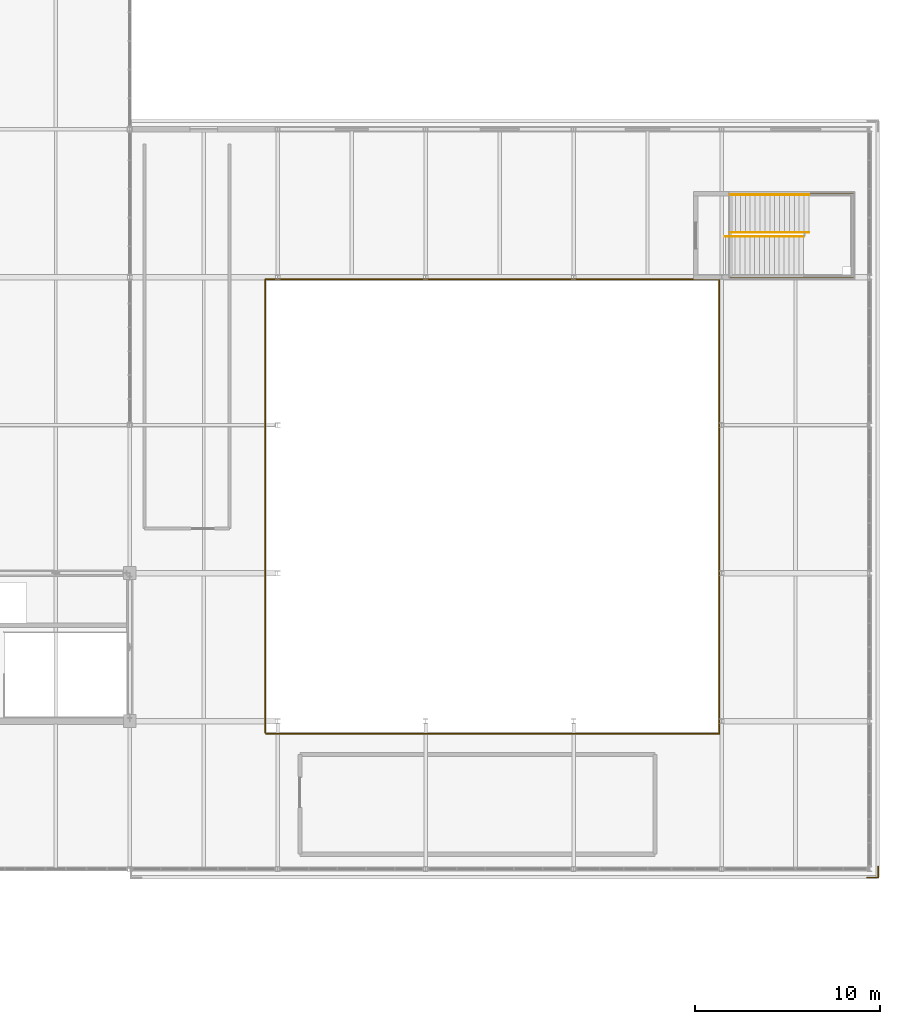
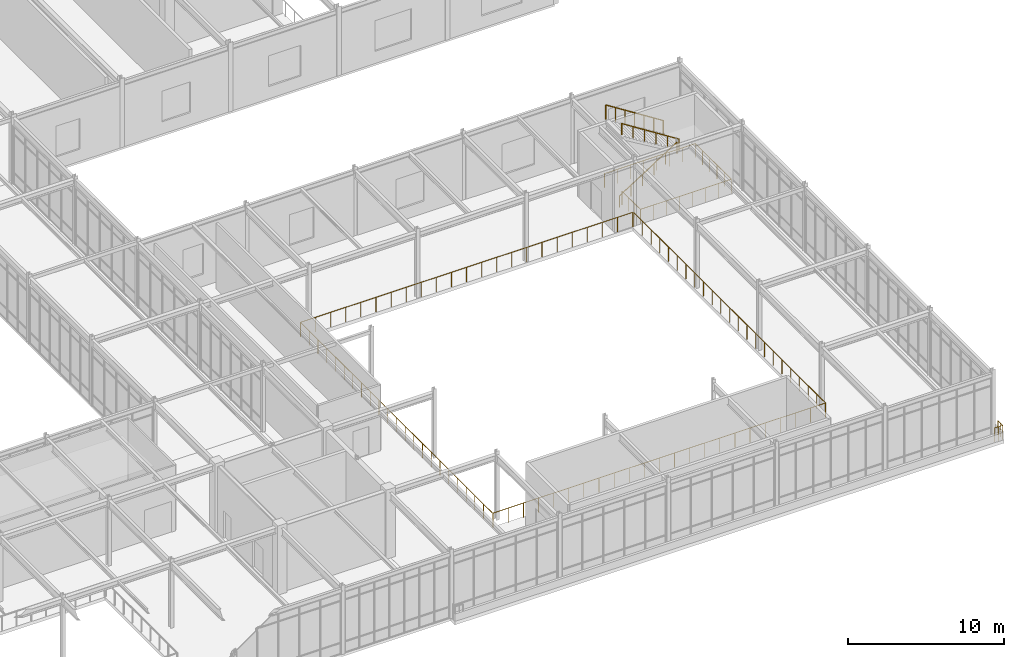
# One storey, part 182 of 184: 7 railings.
"""IFC4 building model written with IfcOpenShell, lengths in metres."""

from ifc_helpers import new_model, si_unit, direction, frame, origin, origin_2d, place, context, subcontext, project, spatial, circle, extrude, material, type_object, element, save


model = new_model("IFC4")

# Units and contexts
model_context = context("Model", 3, precision=1e-05, world=origin(), true_north=direction((0.0, 1.0)))
body_context = subcontext(model_context, "Body", "Model", "MODEL_VIEW")
ifc_project = project(units=[si_unit("LENGTHUNIT", "METRE"), si_unit("AREAUNIT", "SQUARE_METRE"), si_unit("VOLUMEUNIT", "CUBIC_METRE"), si_unit("PLANEANGLEUNIT", "RADIAN"), si_unit("MASSUNIT", "GRAM", prefix="KILO")], contexts=[model_context])

# Site, building, storey
site_placement = place(None, origin())
site = spatial("IfcSite", under=ifc_project, at=site_placement, CompositionType="ELEMENT")
building_placement = place(site_placement, origin())
building = spatial("IfcBuilding", under=site, at=building_placement, Name="Zhaolan Boulevard Law Courts", CompositionType="ELEMENT")
storey_placement = place(building_placement, frame((0.0, 0.0, 5.39990234375)))
storey = spatial("IfcBuildingStorey", under=building, at=storey_placement, Name="L01", CompositionType="ELEMENT", Elevation=5.39990234375)

# Railings
ifc_material_1 = material(Name="Powder-coated steel and tempered laminated glass", Category="steel")
railing_type_1 = type_object("IfcRailingType", Name="INTERIOR GUARDRAIL 1150", PredefinedType="GUARDRAIL", material=ifc_material_1)
railing_1_placement = place(storey_placement, frame((131.360107421875, 13.320068359375, 0.0)))
element("IfcRailing", 1, at=railing_1_placement, inside=storey, type_object=railing_type_1, Name="Atrium Gallery Guardrail VG-1-V1-2A", PredefinedType="GUARDRAIL", context=body_context, shape_type="SweptSolid", body=[
    extrude(circle(Radius=0.02490234375, at=origin_2d()), frame((0.0, 0.0, 1.125), z_axis=(1.0, 0.0, 0.0), x_axis=(0.0, 1.0, 0.0)), (0.0, 0.0, 1.0), 24.519775390625),
    extrude(circle(Radius=0.02490234375, at=origin_2d()), frame((24.519775390625, 0.0, 1.125), z_axis=(0.0, 1.0, 0.0), x_axis=(-1.0, 0.0, 0.0)), (0.0, 0.0, 1.0), 24.52001953125),
    extrude(circle(Radius=0.02099609375, at=origin_2d()), origin(), (0.0, 0.0, 1.0), 1.099853515625),
    extrude(circle(Radius=0.02099609375, at=origin_2d()), frame((1.114501953125, 0.0, 0.0)), (0.0, 0.0, 1.0), 1.099853515625),
    extrude(circle(Radius=0.02099609375, at=origin_2d()), frame((2.22900390625, 0.0, 0.0)), (0.0, 0.0, 1.0), 1.099853515625),
    extrude(circle(Radius=0.02099609375, at=origin_2d()), frame((3.343505859375, 0.0, 0.0)), (0.0, 0.0, 1.0), 1.099853515625),
    extrude(circle(Radius=0.02099609375, at=origin_2d()), frame((4.458251953125, 0.0, 0.0)), (0.0, 0.0, 1.0), 1.099853515625),
    extrude(circle(Radius=0.02099609375, at=origin_2d()), frame((5.57275390625, 0.0, 0.0)), (0.0, 0.0, 1.0), 1.099853515625),
    extrude(circle(Radius=0.02099609375, at=origin_2d()), frame((6.687255859375, 0.0, 0.0)), (0.0, 0.0, 1.0), 1.099853515625),
    extrude(circle(Radius=0.02099609375, at=origin_2d()), frame((7.8017578125, 0.0, 0.0)), (0.0, 0.0, 1.0), 1.099853515625),
    extrude(circle(Radius=0.02099609375, at=origin_2d()), frame((8.916259765625, 0.0, 0.0)), (0.0, 0.0, 1.0), 1.099853515625),
    extrude(circle(Radius=0.02099609375, at=origin_2d()), frame((10.03076171875, 0.0, 0.0)), (0.0, 0.0, 1.0), 1.099853515625),
    extrude(circle(Radius=0.02099609375, at=origin_2d()), frame((11.145263671875, 0.0, 0.0)), (0.0, 0.0, 1.0), 1.099853515625),
    extrude(circle(Radius=0.02099609375, at=origin_2d()), frame((12.259765625, 0.0, 0.0)), (0.0, 0.0, 1.0), 1.099853515625),
    extrude(circle(Radius=0.02099609375, at=origin_2d()), frame((13.37451171875, 0.0, 0.0)), (0.0, 0.0, 1.0), 1.099853515625),
    extrude(circle(Radius=0.02099609375, at=origin_2d()), frame((14.489013671875, 0.0, 0.0)), (0.0, 0.0, 1.0), 1.099853515625),
    extrude(circle(Radius=0.02099609375, at=origin_2d()), frame((15.603515625, 0.0, 0.0)), (0.0, 0.0, 1.0), 1.099853515625),
    extrude(circle(Radius=0.02099609375, at=origin_2d()), frame((16.718017578125, 0.0, 0.0)), (0.0, 0.0, 1.0), 1.099853515625),
    extrude(circle(Radius=0.02099609375, at=origin_2d()), frame((17.83251953125, 0.0, 0.0)), (0.0, 0.0, 1.0), 1.099853515625),
    extrude(circle(Radius=0.02099609375, at=origin_2d()), frame((18.947021484375, 0.0, 0.0)), (0.0, 0.0, 1.0), 1.099853515625),
    extrude(circle(Radius=0.02099609375, at=origin_2d()), frame((20.0615234375, 0.0, 0.0)), (0.0, 0.0, 1.0), 1.099853515625),
    extrude(circle(Radius=0.02099609375, at=origin_2d()), frame((21.17626953125, 0.0, 0.0)), (0.0, 0.0, 1.0), 1.099853515625),
    extrude(circle(Radius=0.02099609375, at=origin_2d()), frame((22.290771484375, 0.0, 0.0)), (0.0, 0.0, 1.0), 1.099853515625),
    extrude(circle(Radius=0.02099609375, at=origin_2d()), frame((23.4052734375, 0.0, 0.0)), (0.0, 0.0, 1.0), 1.099853515625),
    extrude(circle(Radius=0.02099609375, at=origin_2d()), frame((24.519775390625, 0.0, 0.0)), (0.0, 0.0, 1.0), 1.099853515625),
    extrude(circle(Radius=0.02099609375, at=origin_2d()), frame((24.519775390625, 1.114501953125, 0.0)), (0.0, 0.0, 1.0), 1.099853515625),
    extrude(circle(Radius=0.02099609375, at=origin_2d()), frame((24.519775390625, 2.22900390625, 0.0)), (0.0, 0.0, 1.0), 1.099853515625),
    extrude(circle(Radius=0.02099609375, at=origin_2d()), frame((24.519775390625, 3.34375, 0.0)), (0.0, 0.0, 1.0), 1.099853515625),
    extrude(circle(Radius=0.02099609375, at=origin_2d()), frame((24.519775390625, 4.458251953125, 0.0)), (0.0, 0.0, 1.0), 1.099853515625),
    extrude(circle(Radius=0.02099609375, at=origin_2d()), frame((24.519775390625, 5.57275390625, 0.0)), (0.0, 0.0, 1.0), 1.099853515625),
    extrude(circle(Radius=0.02099609375, at=origin_2d()), frame((24.519775390625, 6.687255859375, 0.0)), (0.0, 0.0, 1.0), 1.099853515625),
    extrude(circle(Radius=0.02099609375, at=origin_2d()), frame((24.519775390625, 7.8017578125, 0.0)), (0.0, 0.0, 1.0), 1.099853515625),
    extrude(circle(Radius=0.02099609375, at=origin_2d()), frame((24.519775390625, 8.916259765625, 0.0)), (0.0, 0.0, 1.0), 1.099853515625),
    extrude(circle(Radius=0.02099609375, at=origin_2d()), frame((24.519775390625, 10.031005859375, 0.0)), (0.0, 0.0, 1.0), 1.099853515625),
    extrude(circle(Radius=0.02099609375, at=origin_2d()), frame((24.519775390625, 11.1455078125, 0.0)), (0.0, 0.0, 1.0), 1.099853515625),
    extrude(circle(Radius=0.02099609375, at=origin_2d()), frame((24.519775390625, 12.260009765625, 0.0)), (0.0, 0.0, 1.0), 1.099853515625),
    extrude(circle(Radius=0.02099609375, at=origin_2d()), frame((24.519775390625, 13.37451171875, 0.0)), (0.0, 0.0, 1.0), 1.099853515625),
    extrude(circle(Radius=0.02099609375, at=origin_2d()), frame((24.519775390625, 14.489013671875, 0.0)), (0.0, 0.0, 1.0), 1.099853515625),
    extrude(circle(Radius=0.02099609375, at=origin_2d()), frame((24.519775390625, 15.603759765625, 0.0)), (0.0, 0.0, 1.0), 1.099853515625),
    extrude(circle(Radius=0.02099609375, at=origin_2d()), frame((24.519775390625, 16.71826171875, 0.0)), (0.0, 0.0, 1.0), 1.099853515625),
    extrude(circle(Radius=0.02099609375, at=origin_2d()), frame((24.519775390625, 17.832763671875, 0.0)), (0.0, 0.0, 1.0), 1.099853515625),
    extrude(circle(Radius=0.02099609375, at=origin_2d()), frame((24.519775390625, 18.947265625, 0.0)), (0.0, 0.0, 1.0), 1.099853515625),
    extrude(circle(Radius=0.02099609375, at=origin_2d()), frame((24.519775390625, 20.061767578125, 0.0)), (0.0, 0.0, 1.0), 1.099853515625),
    extrude(circle(Radius=0.02099609375, at=origin_2d()), frame((24.519775390625, 21.17626953125, 0.0)), (0.0, 0.0, 1.0), 1.099853515625),
    extrude(circle(Radius=0.02099609375, at=origin_2d()), frame((24.519775390625, 22.291015625, 0.0)), (0.0, 0.0, 1.0), 1.099853515625),
    extrude(circle(Radius=0.02099609375, at=origin_2d()), frame((24.519775390625, 23.405517578125, 0.0)), (0.0, 0.0, 1.0), 1.099853515625),
    extrude(circle(Radius=0.02099609375, at=origin_2d()), frame((24.519775390625, 24.52001953125, 0.0)), (0.0, 0.0, 1.0), 1.099853515625),
])
railing_2_placement = place(storey_placement, frame((155.820068359375, 37.8798828125, 0.0)))
element("IfcRailing", 2, at=railing_2_placement, inside=storey, type_object=railing_type_1, Name="Atrium Gallery Guardrail VG-1-V1-2B", PredefinedType="GUARDRAIL", context=body_context, shape_type="SweptSolid", body=[
    extrude(circle(Radius=0.02490234375, at=origin_2d()), frame((0.0, 0.0, 1.125), z_axis=(-1.0, 0.0, 0.0), x_axis=(0.0, -1.0, 0.0)), (0.0, 0.0, 1.0), 24.5),
    extrude(circle(Radius=0.02490234375, at=origin_2d()), frame((-24.5, 0.0, 1.125), z_axis=(0.0, -1.0, 0.0), x_axis=(1.0, 0.0, 0.0)), (0.0, 0.0, 1.0), 24.5),
    extrude(circle(Radius=0.02099609375, at=origin_2d()), origin(), (0.0, 0.0, 1.0), 1.099853515625),
    extrude(circle(Radius=0.02099609375, at=origin_2d()), frame((-1.113525390625, 0.0, 0.0)), (0.0, 0.0, 1.0), 1.099853515625),
    extrude(circle(Radius=0.02099609375, at=origin_2d()), frame((-2.227294921875, 0.0, 0.0)), (0.0, 0.0, 1.0), 1.099853515625),
    extrude(circle(Radius=0.02099609375, at=origin_2d()), frame((-3.3408203125, 0.0, 0.0)), (0.0, 0.0, 1.0), 1.099853515625),
    extrude(circle(Radius=0.02099609375, at=origin_2d()), frame((-4.45458984375, 0.0, 0.0)), (0.0, 0.0, 1.0), 1.099853515625),
    extrude(circle(Radius=0.02099609375, at=origin_2d()), frame((-5.568115234375, 0.0, 0.0)), (0.0, 0.0, 1.0), 1.099853515625),
    extrude(circle(Radius=0.02099609375, at=origin_2d()), frame((-6.681884765625, 0.0, 0.0)), (0.0, 0.0, 1.0), 1.099853515625),
    extrude(circle(Radius=0.02099609375, at=origin_2d()), frame((-7.79541015625, 0.0, 0.0)), (0.0, 0.0, 1.0), 1.099853515625),
    extrude(circle(Radius=0.02099609375, at=origin_2d()), frame((-8.9091796875, 0.0, 0.0)), (0.0, 0.0, 1.0), 1.099853515625),
    extrude(circle(Radius=0.02099609375, at=origin_2d()), frame((-10.022705078125, 0.0, 0.0)), (0.0, 0.0, 1.0), 1.099853515625),
    extrude(circle(Radius=0.02099609375, at=origin_2d()), frame((-11.136474609375, 0.0, 0.0)), (0.0, 0.0, 1.0), 1.099853515625),
    extrude(circle(Radius=0.02099609375, at=origin_2d()), frame((-12.25, 0.0, 0.0)), (0.0, 0.0, 1.0), 1.099853515625),
    extrude(circle(Radius=0.02099609375, at=origin_2d()), frame((-13.363525390625, 0.0, 0.0)), (0.0, 0.0, 1.0), 1.099853515625),
    extrude(circle(Radius=0.02099609375, at=origin_2d()), frame((-14.477294921875, 0.0, 0.0)), (0.0, 0.0, 1.0), 1.099853515625),
    extrude(circle(Radius=0.02099609375, at=origin_2d()), frame((-15.5908203125, 0.0, 0.0)), (0.0, 0.0, 1.0), 1.099853515625),
    extrude(circle(Radius=0.02099609375, at=origin_2d()), frame((-16.70458984375, 0.0, 0.0)), (0.0, 0.0, 1.0), 1.099853515625),
    extrude(circle(Radius=0.02099609375, at=origin_2d()), frame((-17.818115234375, 0.0, 0.0)), (0.0, 0.0, 1.0), 1.099853515625),
    extrude(circle(Radius=0.02099609375, at=origin_2d()), frame((-18.931884765625, 0.0, 0.0)), (0.0, 0.0, 1.0), 1.099853515625),
    extrude(circle(Radius=0.02099609375, at=origin_2d()), frame((-20.04541015625, 0.0, 0.0)), (0.0, 0.0, 1.0), 1.099853515625),
    extrude(circle(Radius=0.02099609375, at=origin_2d()), frame((-21.1591796875, 0.0, 0.0)), (0.0, 0.0, 1.0), 1.099853515625),
    extrude(circle(Radius=0.02099609375, at=origin_2d()), frame((-22.272705078125, 0.0, 0.0)), (0.0, 0.0, 1.0), 1.099853515625),
    extrude(circle(Radius=0.02099609375, at=origin_2d()), frame((-23.386474609375, 0.0, 0.0)), (0.0, 0.0, 1.0), 1.099853515625),
    extrude(circle(Radius=0.02099609375, at=origin_2d()), frame((-24.5, 0.0, 0.0)), (0.0, 0.0, 1.0), 1.099853515625),
    extrude(circle(Radius=0.02099609375, at=origin_2d()), frame((-24.5, -1.113525390625, 0.0)), (0.0, 0.0, 1.0), 1.099853515625),
    extrude(circle(Radius=0.02099609375, at=origin_2d()), frame((-24.5, -2.227294921875, 0.0)), (0.0, 0.0, 1.0), 1.099853515625),
    extrude(circle(Radius=0.02099609375, at=origin_2d()), frame((-24.5, -3.3408203125, 0.0)), (0.0, 0.0, 1.0), 1.099853515625),
    extrude(circle(Radius=0.02099609375, at=origin_2d()), frame((-24.5, -4.45458984375, 0.0)), (0.0, 0.0, 1.0), 1.099853515625),
    extrude(circle(Radius=0.02099609375, at=origin_2d()), frame((-24.5, -5.568115234375, 0.0)), (0.0, 0.0, 1.0), 1.099853515625),
    extrude(circle(Radius=0.02099609375, at=origin_2d()), frame((-24.5, -6.681884765625, 0.0)), (0.0, 0.0, 1.0), 1.099853515625),
    extrude(circle(Radius=0.02099609375, at=origin_2d()), frame((-24.5, -7.79541015625, 0.0)), (0.0, 0.0, 1.0), 1.099853515625),
    extrude(circle(Radius=0.02099609375, at=origin_2d()), frame((-24.5, -8.9091796875, 0.0)), (0.0, 0.0, 1.0), 1.099853515625),
    extrude(circle(Radius=0.02099609375, at=origin_2d()), frame((-24.5, -10.022705078125, 0.0)), (0.0, 0.0, 1.0), 1.099853515625),
    extrude(circle(Radius=0.02099609375, at=origin_2d()), frame((-24.5, -11.136474609375, 0.0)), (0.0, 0.0, 1.0), 1.099853515625),
    extrude(circle(Radius=0.02099609375, at=origin_2d()), frame((-24.5, -12.25, 0.0)), (0.0, 0.0, 1.0), 1.099853515625),
    extrude(circle(Radius=0.02099609375, at=origin_2d()), frame((-24.5, -13.363525390625, 0.0)), (0.0, 0.0, 1.0), 1.099853515625),
    extrude(circle(Radius=0.02099609375, at=origin_2d()), frame((-24.5, -14.477294921875, 0.0)), (0.0, 0.0, 1.0), 1.099853515625),
    extrude(circle(Radius=0.02099609375, at=origin_2d()), frame((-24.5, -15.5908203125, 0.0)), (0.0, 0.0, 1.0), 1.099853515625),
    extrude(circle(Radius=0.02099609375, at=origin_2d()), frame((-24.5, -16.70458984375, 0.0)), (0.0, 0.0, 1.0), 1.099853515625),
    extrude(circle(Radius=0.02099609375, at=origin_2d()), frame((-24.5, -17.818115234375, 0.0)), (0.0, 0.0, 1.0), 1.099853515625),
    extrude(circle(Radius=0.02099609375, at=origin_2d()), frame((-24.5, -18.931884765625, 0.0)), (0.0, 0.0, 1.0), 1.099853515625),
    extrude(circle(Radius=0.02099609375, at=origin_2d()), frame((-24.5, -20.04541015625, 0.0)), (0.0, 0.0, 1.0), 1.099853515625),
    extrude(circle(Radius=0.02099609375, at=origin_2d()), frame((-24.5, -21.1591796875, 0.0)), (0.0, 0.0, 1.0), 1.099853515625),
    extrude(circle(Radius=0.02099609375, at=origin_2d()), frame((-24.5, -22.272705078125, 0.0)), (0.0, 0.0, 1.0), 1.099853515625),
    extrude(circle(Radius=0.02099609375, at=origin_2d()), frame((-24.5, -23.386474609375, 0.0)), (0.0, 0.0, 1.0), 1.099853515625),
    extrude(circle(Radius=0.02099609375, at=origin_2d()), frame((-24.5, -24.5, 0.0)), (0.0, 0.0, 1.0), 1.099853515625),
])
ifc_material_2 = material(Name="Brushed stainless steel tubular handrail", Category="steel")
railing_type_2 = type_object("IfcRailingType", Name="STAIR HANDRAIL 900", PredefinedType="HANDRAIL", material=ifc_material_2)
railing_3_placement = place(storey_placement, frame((156.199951171875, 40.199951171875, 0.0)))
element("IfcRailing", 3, at=railing_3_placement, inside=storey, type_object=railing_type_2, Name="Stair Handrail HR-ST07-L01-1", PredefinedType="HANDRAIL", context=body_context, shape_type="SweptSolid", body=[
    extrude(circle(Radius=0.0224609375, at=origin_2d()), frame((0.0, 0.0, 0.87744140625), z_axis=(0.843479452326, 0.0, 0.53716144082), x_axis=(0.0, 1.0, 0.0)), (0.0, 0.0, 1.0), 5.02685546875),
    extrude(circle(Radius=0.01904296875, at=origin_2d()), origin(), (0.0, 0.0, 1.0), 0.85498046875),
    extrude(circle(Radius=0.01904296875, at=origin_2d()), frame((0.847900390625, 0.0, 0.5400390625)), (0.0, 0.0, 1.0), 0.85498046875),
    extrude(circle(Radius=0.01904296875, at=origin_2d()), frame((1.696044921875, 0.0, 1.080078125)), (0.0, 0.0, 1.0), 0.85498046875),
    extrude(circle(Radius=0.01904296875, at=origin_2d()), frame((2.5439453125, 0.0, 1.6201171875)), (0.0, 0.0, 1.0), 0.85498046875),
    extrude(circle(Radius=0.01904296875, at=origin_2d()), frame((3.39208984375, 0.0, 2.16015625)), (0.0, 0.0, 1.0), 0.85498046875),
    extrude(circle(Radius=0.01904296875, at=origin_2d()), frame((4.239990234375, 0.0, 2.7001953125)), (0.0, 0.0, 1.0), 0.85498046875),
])
railing_4_placement = place(storey_placement, frame((160.72509765625, 40.419921875, 2.7001953125)))
element("IfcRailing", 4, at=railing_4_placement, inside=storey, type_object=railing_type_2, Name="Stair Handrail HR-ST07-L01-2", PredefinedType="HANDRAIL", context=body_context, shape_type="SweptSolid", body=[
    extrude(circle(Radius=0.0224609375, at=origin_2d()), frame((0.0, 0.0, 0.87744140625), z_axis=(-0.843501457581, 0.0, 0.537126885437), x_axis=(0.0, -1.0, 0.0)), (0.0, 0.0, 1.0), 5.026611328125),
    extrude(circle(Radius=0.01904296875, at=origin_2d()), origin(), (0.0, 0.0, 1.0), 0.85498046875),
    extrude(circle(Radius=0.01904296875, at=origin_2d()), frame((-0.847900390625, 0.0, 0.5400390625)), (0.0, 0.0, 1.0), 0.85498046875),
    extrude(circle(Radius=0.01904296875, at=origin_2d()), frame((-1.696044921875, 0.0, 1.080078125)), (0.0, 0.0, 1.0), 0.85498046875),
    extrude(circle(Radius=0.01904296875, at=origin_2d()), frame((-2.5439453125, 0.0, 1.619873046875)), (0.0, 0.0, 1.0), 0.85498046875),
    extrude(circle(Radius=0.01904296875, at=origin_2d()), frame((-3.39208984375, 0.0, 2.159912109375)), (0.0, 0.0, 1.0), 0.85498046875),
    extrude(circle(Radius=0.01904296875, at=origin_2d()), frame((-4.239990234375, 0.0, 2.699951171875)), (0.0, 0.0, 1.0), 0.85498046875),
])
ifc_material_3 = material(Name="Powder-coated steel baluster guardrail", Category="steel")
railing_type_3 = type_object("IfcRailingType", Name="STAIR WELL GUARDRAIL 1120", PredefinedType="GUARDRAIL", material=ifc_material_3)
railing_5_placement = place(storey_placement, frame((156.43994140625, 40.31005859375, 0.0)))
element("IfcRailing", 5, at=railing_5_placement, inside=storey, type_object=railing_type_3, Name="Stair-Well Floor Guardrail WG-ST07-L00", PredefinedType="GUARDRAIL", context=body_context, shape_type="SweptSolid", body=[
    extrude(circle(Radius=0.02392578125, at=origin_2d()), frame((0.0, 0.0, 1.09619140625), z_axis=(0.0, -1.0, 0.0), x_axis=(1.0, 0.0, 0.0)), (0.0, 0.0, 1.0), 2.360107421875),
    extrude(circle(Radius=0.02392578125, at=origin_2d()), frame((0.0, -2.360107421875, 1.09619140625), z_axis=(1.0, 0.0, 0.0), x_axis=(0.0, 1.0, 0.0)), (0.0, 0.0, 1.0), 6.7099609375),
    extrude(circle(Radius=0.02392578125, at=origin_2d()), frame((6.7099609375, -2.360107421875, 1.09619140625), z_axis=(0.0, 1.0, 0.0), x_axis=(-1.0, 0.0, 0.0)), (0.0, 0.0, 1.0), 4.60009765625),
    extrude(circle(Radius=0.02392578125, at=origin_2d()), frame((6.7099609375, 2.239990234375, 1.09619140625), z_axis=(-1.0, 0.0, 0.0), x_axis=(0.0, -1.0, 0.0)), (0.0, 0.0, 1.0), 6.7099609375),
    extrude(circle(Radius=0.02392578125, at=origin_2d()), frame((0.0, 2.239990234375, 1.09619140625), z_axis=(0.0, 1.0, 0.0), x_axis=(-1.0, 0.0, 0.0)), (0.0, 0.0, 1.0), 0.02001953125),
    extrude(circle(Radius=0.02099609375, at=origin_2d()), origin(), (0.0, 0.0, 1.0), 1.072021484375),
    extrude(circle(Radius=0.02099609375, at=origin_2d()), frame((0.0, -0.78662109375, 0.0)), (0.0, 0.0, 1.0), 1.072021484375),
    extrude(circle(Radius=0.02099609375, at=origin_2d()), frame((0.0, -1.573486328125, 0.0)), (0.0, 0.0, 1.0), 1.072021484375),
    extrude(circle(Radius=0.02099609375, at=origin_2d()), frame((0.0, -2.360107421875, 0.0)), (0.0, 0.0, 1.0), 1.072021484375),
    extrude(circle(Radius=0.02099609375, at=origin_2d()), frame((0.95849609375, -2.360107421875, 0.0)), (0.0, 0.0, 1.0), 1.072021484375),
    extrude(circle(Radius=0.02099609375, at=origin_2d()), frame((1.917236328125, -2.360107421875, 0.0)), (0.0, 0.0, 1.0), 1.072021484375),
    extrude(circle(Radius=0.02099609375, at=origin_2d()), frame((2.875732421875, -2.360107421875, 0.0)), (0.0, 0.0, 1.0), 1.072021484375),
    extrude(circle(Radius=0.02099609375, at=origin_2d()), frame((3.834228515625, -2.360107421875, 0.0)), (0.0, 0.0, 1.0), 1.072021484375),
    extrude(circle(Radius=0.02099609375, at=origin_2d()), frame((4.792724609375, -2.360107421875, 0.0)), (0.0, 0.0, 1.0), 1.072021484375),
    extrude(circle(Radius=0.02099609375, at=origin_2d()), frame((5.75146484375, -2.360107421875, 0.0)), (0.0, 0.0, 1.0), 1.072021484375),
    extrude(circle(Radius=0.02099609375, at=origin_2d()), frame((6.7099609375, -2.360107421875, 0.0)), (0.0, 0.0, 1.0), 1.072021484375),
    extrude(circle(Radius=0.02099609375, at=origin_2d()), frame((6.7099609375, -1.440185546875, 0.0)), (0.0, 0.0, 1.0), 1.072021484375),
    extrude(circle(Radius=0.02099609375, at=origin_2d()), frame((6.7099609375, -0.52001953125, 0.0)), (0.0, 0.0, 1.0), 1.072021484375),
    extrude(circle(Radius=0.02099609375, at=origin_2d()), frame((6.7099609375, 0.39990234375, 0.0)), (0.0, 0.0, 1.0), 1.072021484375),
    extrude(circle(Radius=0.02099609375, at=origin_2d()), frame((6.7099609375, 1.320068359375, 0.0)), (0.0, 0.0, 1.0), 1.072021484375),
    extrude(circle(Radius=0.02099609375, at=origin_2d()), frame((6.7099609375, 2.239990234375, 0.0)), (0.0, 0.0, 1.0), 1.072021484375),
    extrude(circle(Radius=0.02099609375, at=origin_2d()), frame((5.75146484375, 2.239990234375, 0.0)), (0.0, 0.0, 1.0), 1.072021484375),
    extrude(circle(Radius=0.02099609375, at=origin_2d()), frame((4.792724609375, 2.239990234375, 0.0)), (0.0, 0.0, 1.0), 1.072021484375),
    extrude(circle(Radius=0.02099609375, at=origin_2d()), frame((3.834228515625, 2.239990234375, 0.0)), (0.0, 0.0, 1.0), 1.072021484375),
    extrude(circle(Radius=0.02099609375, at=origin_2d()), frame((2.875732421875, 2.239990234375, 0.0)), (0.0, 0.0, 1.0), 1.072021484375),
    extrude(circle(Radius=0.02099609375, at=origin_2d()), frame((1.917236328125, 2.239990234375, 0.0)), (0.0, 0.0, 1.0), 1.072021484375),
    extrude(circle(Radius=0.02099609375, at=origin_2d()), frame((0.95849609375, 2.239990234375, 0.0)), (0.0, 0.0, 1.0), 1.072021484375),
    extrude(circle(Radius=0.02099609375, at=origin_2d()), frame((0.0, 2.239990234375, 0.0)), (0.0, 0.0, 1.0), 1.072021484375),
    extrude(circle(Radius=0.02099609375, at=origin_2d()), frame((0.0, 2.260009765625, 0.0)), (0.0, 0.0, 1.0), 1.072021484375),
])
railing_6_placement = place(storey_placement, frame((160.72509765625, 42.449951171875, 2.7001953125)))
element("IfcRailing", 6, at=railing_6_placement, inside=storey, type_object=railing_type_3, Name="Flight Guardrail SG-ST07-L01-F2", PredefinedType="GUARDRAIL", context=body_context, shape_type="SweptSolid", body=[
    extrude(circle(Radius=0.02392578125, at=origin_2d()), frame((0.0, 0.0, 1.09619140625), z_axis=(-0.843501457581, 0.0, 0.537126885437), x_axis=(0.0, -1.0, 0.0)), (0.0, 0.0, 1.0), 5.026611328125),
    extrude(circle(Radius=0.02099609375, at=origin_2d()), origin(), (0.0, 0.0, 1.0), 1.072021484375),
    extrude(circle(Radius=0.02099609375, at=origin_2d()), frame((-0.70654296875, 0.0, 0.449951171875)), (0.0, 0.0, 1.0), 1.072021484375),
    extrude(circle(Radius=0.02099609375, at=origin_2d()), frame((-1.413330078125, 0.0, 0.89990234375)), (0.0, 0.0, 1.0), 1.072021484375),
    extrude(circle(Radius=0.02099609375, at=origin_2d()), frame((-2.1201171875, 0.0, 1.35009765625)), (0.0, 0.0, 1.0), 1.072021484375),
    extrude(circle(Radius=0.02099609375, at=origin_2d()), frame((-2.82666015625, 0.0, 1.800048828125)), (0.0, 0.0, 1.0), 1.072021484375),
    extrude(circle(Radius=0.02099609375, at=origin_2d()), frame((-3.533203125, 0.0, 2.25)), (0.0, 0.0, 1.0), 1.072021484375),
    extrude(circle(Radius=0.02099609375, at=origin_2d()), frame((-4.239990234375, 0.0, 2.699951171875)), (0.0, 0.0, 1.0), 1.072021484375),
])
railing_7_placement = place(storey_placement, frame((163.8798828125, 5.5400390625, 0.0)))
element("IfcRailing", 7, at=railing_7_placement, inside=storey, type_object=railing_type_3, Name="Slab Corner Guardrail GR-CRN-L01-V1SE", PredefinedType="GUARDRAIL", context=body_context, shape_type="SweptSolid", body=[
    extrude(circle(Radius=0.02392578125, at=origin_2d()), frame((0.0, 0.0, 1.09619140625), z_axis=(1.0, 0.0, 0.0), x_axis=(0.0, 1.0, 0.0)), (0.0, 0.0, 1.0), 0.580078125),
    extrude(circle(Radius=0.02392578125, at=origin_2d()), frame((0.580078125, 0.0, 1.09619140625), z_axis=(0.0, 1.0, 0.0), x_axis=(-1.0, 0.0, 0.0)), (0.0, 0.0, 1.0), 0.599853515625),
    extrude(circle(Radius=0.02099609375, at=origin_2d()), origin(), (0.0, 0.0, 1.0), 1.072021484375),
    extrude(circle(Radius=0.02099609375, at=origin_2d()), frame((0.2900390625, 0.0, 0.0)), (0.0, 0.0, 1.0), 1.072021484375),
    extrude(circle(Radius=0.02099609375, at=origin_2d()), frame((0.580078125, 0.0, 0.0)), (0.0, 0.0, 1.0), 1.072021484375),
    extrude(circle(Radius=0.02099609375, at=origin_2d()), frame((0.580078125, 0.2998046875, 0.0)), (0.0, 0.0, 1.0), 1.072021484375),
    extrude(circle(Radius=0.02099609375, at=origin_2d()), frame((0.580078125, 0.599853515625, 0.0)), (0.0, 0.0, 1.0), 1.072021484375),
])

save(model, "model.ifc")
